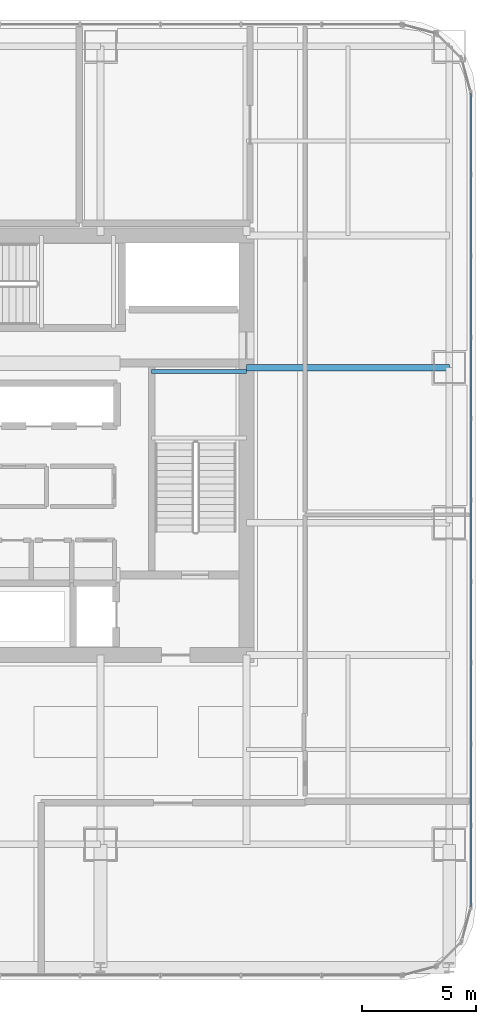
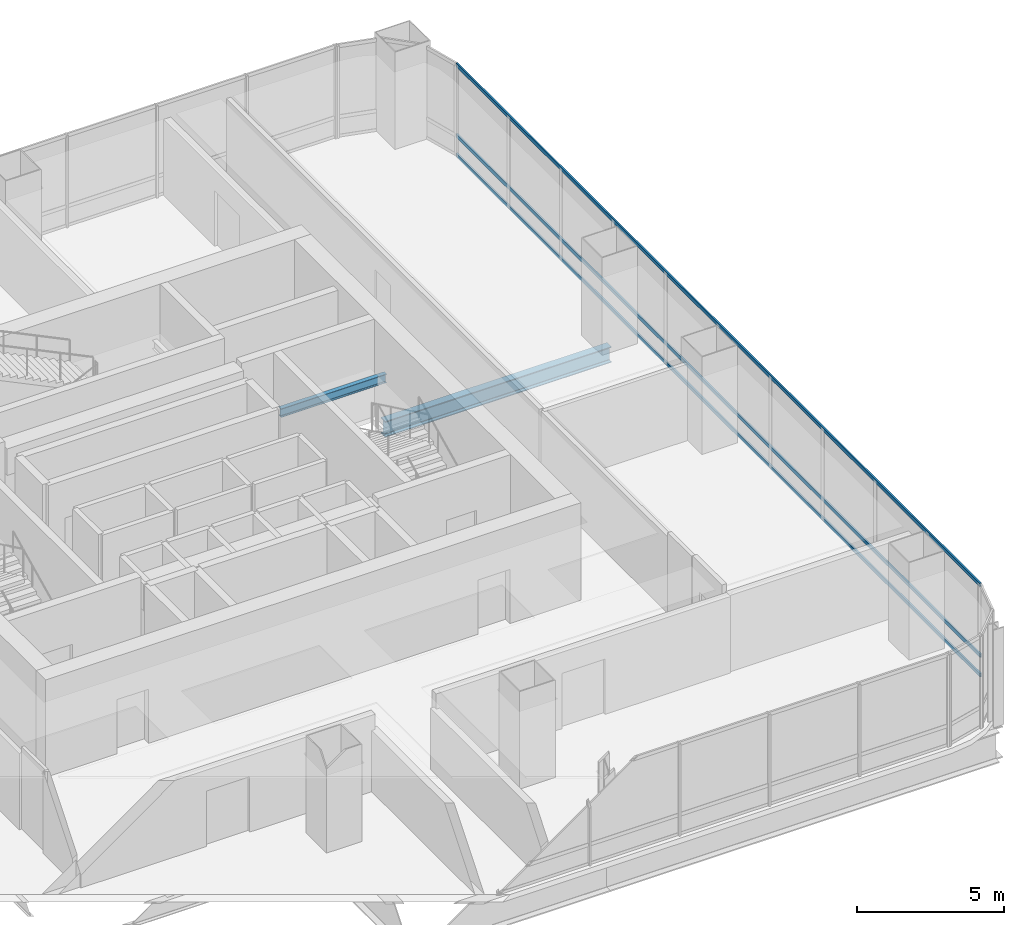
# One storey, part 16 of 36: 3 members, 2 beams, 1 element without a shape of its own.
"""IFC4 building model written with IfcOpenShell, lengths in metres."""

from ifc_helpers import new_model, si_unit, direction, frame, origin, origin_2d, place, context, subcontext, project, spatial, hollow_rectangle, i_section, extrude, material, material_profile, profile_set, type_object, element, aggregate, save


model = new_model("IFC4")

# Units and contexts
model_context = context("Model", 3, precision=1e-05, world=origin(), true_north=direction((0.0, 1.0)))
body_context = subcontext(model_context, "Body", "Model", "MODEL_VIEW")
ifc_project = project(units=[si_unit("LENGTHUNIT", "METRE"), si_unit("AREAUNIT", "SQUARE_METRE"), si_unit("VOLUMEUNIT", "CUBIC_METRE"), si_unit("PLANEANGLEUNIT", "RADIAN"), si_unit("MASSUNIT", "GRAM", prefix="KILO")], contexts=[model_context])

# Site, building, storey
site_placement = place(None, origin())
site = spatial("IfcSite", under=ifc_project, at=site_placement, CompositionType="ELEMENT")
building_placement = place(site_placement, origin())
building = spatial("IfcBuilding", under=site, at=building_placement, Name="Punatoya Terracotta Tower", CompositionType="ELEMENT")
storey_placement = place(building_placement, frame((0.0, 0.0, 196.5)))
storey = spatial("IfcBuildingStorey", under=building, at=storey_placement, Name="L46", CompositionType="ELEMENT", Elevation=196.5)

# Beams
ifc_material_1 = material(Name="Steel S355", Category="steel")
ifc_material_profile_1 = material_profile(ifc_material_1, i_section(OverallWidth=0.300048828125, OverallDepth=0.64990234375, WebThickness=0.01611328125, FlangeThickness=0.031005859375, FilletRadius=0.01806640625, at=origin_2d()))
ifc_profile_set_1 = profile_set([ifc_material_profile_1], Name="Steel S355")
beam_type_1 = type_object("IfcBeamType", Name="BM-PRI-650", PredefinedType="BEAM", material=ifc_profile_set_1)
beam_1_placement = place(storey_placement, frame((10.199951171875, 3.39990234375, -0.544921875), z_axis=(1.0, 0.0, 0.0), x_axis=(0.0, 1.0, 0.0)))
element("IfcBeam", 1, at=beam_1_placement, inside=storey, type_object=beam_type_1, Name="BM-L46-PR-EE", PredefinedType="BEAM", context=body_context, shape_type="SweptSolid", body=[
    extrude(i_section(OverallWidth=0.300048828125, OverallDepth=0.64990234375, WebThickness=0.01611328125, FlangeThickness=0.031005859375, FilletRadius=0.01806640625, at=origin_2d()), origin(), (0.0, 0.0, 1.0), 8.900146484375),
])
ifc_material_profile_2 = material_profile(ifc_material_1, i_section(OverallWidth=0.169921875, OverallDepth=0.360107421875, WebThickness=0.008056640625, FlangeThickness=0.0126953125, FilletRadius=0.01806640625, at=origin_2d()))
ifc_profile_set_2 = profile_set([ifc_material_profile_2], Name="Steel S355")
beam_type_2 = type_object("IfcBeamType", Name="BM-SEC-360", PredefinedType="JOIST", material=ifc_profile_set_2)
beam_2_placement = place(storey_placement, frame((6.050048828125, 3.22998046875, 1.64501953125), z_axis=(1.0, 0.0, 0.0), x_axis=(0.0, 1.0, 0.0)))
element("IfcBeam", 2, at=beam_2_placement, inside=storey, type_object=beam_type_2, Name="BM-L46-ST-2-LD1B", PredefinedType="JOIST", context=body_context, shape_type="SweptSolid", body=[
    extrude(i_section(OverallWidth=0.169921875, OverallDepth=0.360107421875, WebThickness=0.008056640625, FlangeThickness=0.0126953125, FilletRadius=0.01806640625, at=origin_2d()), origin(), (0.0, 0.0, 1.0), 4.14990234375),
])

# Curtain wall, members
ifc_material_2 = material(Name="Aluminium 6063-T6 + Double Low-E Glass", Category="aluminium")
curtain_wall_type = type_object("IfcCurtainWallType", Name="CW-M2", PredefinedType="NOTDEFINED", material=ifc_material_2)
curtain_wall_placement = place(storey_placement, origin())
curtain_wall = element("IfcCurtainWall", 3, at=curtain_wall_placement, inside=storey, type_object=curtain_wall_type, Name="L46 Curtain Wall CW-L46-E05-1", PredefinedType="NOTDEFINED")
ifc_material_3 = material(Name="Aluminium 6063-T6", Category="aluminium")
ifc_material_profile_3 = material_profile(ifc_material_3, hollow_rectangle(XDim=0.068115234375, YDim=0.14990234375, WallThickness=0.00390625, at=origin_2d()))
ifc_profile_set_3 = profile_set([ifc_material_profile_3], Name="Aluminium 6063-T6")
member_type = type_object("IfcMemberType", Name="CW-TRN-TYP", PredefinedType="USERDEFINED", material=ifc_profile_set_3)
member_1_placement = place(storey_placement, frame((20.050048828125, -20.23681640625, 0.0400390625), z_axis=(0.0, 1.0, 0.0), x_axis=(-1.0, 0.0, 0.0)))
member_1 = element("IfcMember", 4, at=member_1_placement, type_object=member_type, Name="CW-L46-E05-1 Transom 1", ObjectType="TRANSOM", PredefinedType="USERDEFINED", context=body_context, shape_type="SweptSolid", body=[
    extrude(hollow_rectangle(XDim=0.068115234375, YDim=0.14990234375, WallThickness=0.00390625, at=origin_2d()), origin(), (0.0, 0.0, 1.0), 35.673828125),
])
member_2_placement = place(storey_placement, frame((20.050048828125, -20.23681640625, 0.85009765625), z_axis=(0.0, 1.0, 0.0), x_axis=(-1.0, 0.0, 0.0)))
member_2 = element("IfcMember", 5, at=member_2_placement, type_object=member_type, Name="CW-L46-E05-1 Transom 2", ObjectType="TRANSOM", PredefinedType="USERDEFINED", context=body_context, shape_type="SweptSolid", body=[
    extrude(hollow_rectangle(XDim=0.068115234375, YDim=0.14990234375, WallThickness=0.00390625, at=origin_2d()), origin(), (0.0, 0.0, 1.0), 35.673828125),
])
member_3_placement = place(storey_placement, frame((20.050048828125, -20.23681640625, 3.7900390625), z_axis=(0.0, 1.0, 0.0), x_axis=(-1.0, 0.0, 0.0)))
member_3 = element("IfcMember", 6, at=member_3_placement, type_object=member_type, Name="CW-L46-E05-1 Transom 3", ObjectType="TRANSOM", PredefinedType="USERDEFINED", context=body_context, shape_type="SweptSolid", body=[
    extrude(hollow_rectangle(XDim=0.068115234375, YDim=0.14990234375, WallThickness=0.00390625, at=origin_2d()), origin(), (0.0, 0.0, 1.0), 35.673828125),
])
aggregate(curtain_wall, [member_1, member_2, member_3])

save(model, "model.ifc")
